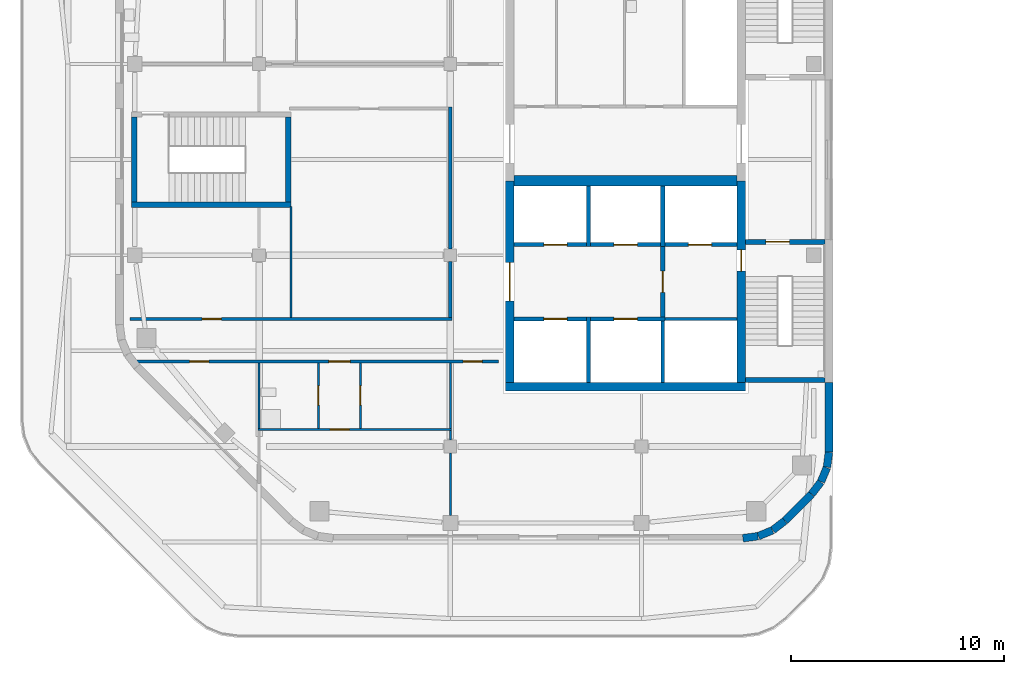
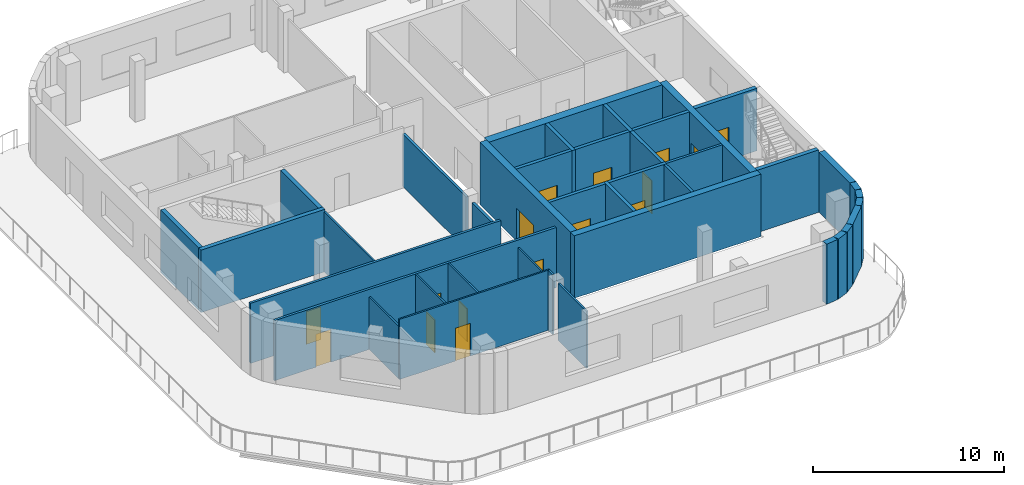
# One storey, part 5 of 15: 40 walls, 16 doors, 16 openings.
"""IFC4 building model written with IfcOpenShell, lengths in metres."""

from ifc_helpers import new_model, si_unit, direction, frame, frame_2d, origin, place, context, subcontext, project, spatial, rectangle, extrude, material, layer, layer_set, type_object, element, fill, save


model = new_model("IFC4")

# Units and contexts
model_context = context("Model", 3, precision=1e-05, world=origin(), true_north=direction((0.0, 1.0)))
body_context = subcontext(model_context, "Body", "Model", "MODEL_VIEW")
ifc_project = project(units=[si_unit("LENGTHUNIT", "METRE"), si_unit("AREAUNIT", "SQUARE_METRE"), si_unit("VOLUMEUNIT", "CUBIC_METRE"), si_unit("PLANEANGLEUNIT", "RADIAN"), si_unit("MASSUNIT", "GRAM", prefix="KILO")], contexts=[model_context])

# Site, building, storey
site_placement = place(None, origin())
site = spatial("IfcSite", under=ifc_project, at=site_placement, CompositionType="ELEMENT")
building_placement = place(site_placement, origin())
building = spatial("IfcBuilding", under=site, at=building_placement, Name="Cinnabar Reach Civic Tower", CompositionType="ELEMENT")
storey_placement = place(building_placement, frame((0.0, 0.0, 100.0)))
storey = spatial("IfcBuildingStorey", under=building, at=storey_placement, Name="L23", CompositionType="ELEMENT", Elevation=100.0)

# Walls
ifc_material_1 = material(Name="Facing brick with insulated backing", Category="masonry")
ifc_layer_1 = layer(ifc_material_1, 0.36)
ifc_layer_set_1 = layer_set([ifc_layer_1], Name="Brick corner wall")
wall_type_1 = type_object("IfcWallType", Name="Brick corner wall", PredefinedType="STANDARD", material=ifc_layer_set_1)
for number, where, z_axis, x_axis, name in (
    (1, (-31.2314, 13.683, 0.0), (0.0, 0.0, 1.0), (0.99144092581, 0.13055608231, 0.0), "Brick corner wall"),
    (2, (-30.5027, 13.7819, 0.0), (0.0, 0.0, 1.0), (0.923871547278, 0.382702709855, 0.0), "Brick corner wall"),
):
    element("IfcWall", number, at=place(storey_placement, frame(where, z_axis=z_axis, x_axis=x_axis)), inside=storey, type_object=wall_type_1, Name=name, PredefinedType="STANDARD", context=body_context, shape_type="SweptSolid", body=[
        extrude(rectangle(XDim=0.7131, YDim=0.36, at=frame_2d((0.3565, 0.0))), origin(), (0.0, 0.0, 1.0), 3.85),
    ])
for number, where, z_axis, x_axis, name in (
    (3, (-29.8245, 14.066, 0.0), (0.0, 0.0, 1.0), (0.793321924995, 0.608802368033, 0.0), "Brick corner wall"),
    (4, (-28.0002, 15.7587, 0.0), (0.0, 0.0, 1.0), (0.608802368033, 0.793321924995, 0.0), "Brick corner wall"),
):
    element("IfcWall", number, at=place(storey_placement, frame(where, z_axis=z_axis, x_axis=x_axis)), inside=storey, type_object=wall_type_1, Name=name, PredefinedType="STANDARD", context=body_context, shape_type="SweptSolid", body=[
        extrude(rectangle(XDim=0.7132, YDim=0.36, at=frame_2d((0.3566, 0.0))), origin(), (0.0, 0.0, 1.0), 3.85),
    ])
for number, where, z_axis, x_axis, name in (
    (5, (-27.5548, 16.3439, 0.0), (0.0, 0.0, 1.0), (0.382702709855, 0.923871547278, 0.0), "Brick corner wall"),
    (6, (-27.2761, 17.0244, 0.0), (0.0, 0.0, 1.0), (0.13055608231, 0.99144092581, 0.0), "Brick corner wall"),
):
    element("IfcWall", number, at=place(storey_placement, frame(where, z_axis=z_axis, x_axis=x_axis)), inside=storey, type_object=wall_type_1, Name=name, PredefinedType="STANDARD", context=body_context, shape_type="SweptSolid", body=[
        extrude(rectangle(XDim=0.7131, YDim=0.36, at=frame_2d((0.3565, 0.0))), origin(), (0.0, 0.0, 1.0), 3.85),
    ])
ifc_layer_2 = layer(ifc_material_1, 0.36)
ifc_layer_set_2 = layer_set([ifc_layer_2], Name="Brick pier and spandrel wall")
wall_type_2 = type_object("IfcWallType", Name="Brick pier and spandrel wall", PredefinedType="STANDARD", material=ifc_layer_set_2)
wall_1_placement = place(storey_placement, frame((-29.2486, 14.506, 0.0), z_axis=(0.0, 0.0, 1.0), x_axis=(0.707106781187, 0.707106781187, 0.0)))
element("IfcWall", 7, at=wall_1_placement, inside=storey, type_object=wall_type_2, Name="Brick facade wall", PredefinedType="STANDARD", context=body_context, shape_type="SweptSolid", body=[
    extrude(rectangle(XDim=1.7573, YDim=0.36, at=frame_2d((0.8787, 0.0))), origin(), (0.0, 0.0, 1.0), 3.85),
])
wall_2_placement = place(storey_placement, frame((-27.18, 17.7426, 0.0), z_axis=(0.0, 0.0, 1.0), x_axis=(0.0, 1.0, 0.0)))
element("IfcWall", 8, at=wall_2_placement, inside=storey, type_object=wall_type_2, Name="Brick facade wall", PredefinedType="STANDARD", context=body_context, shape_type="SweptSolid", body=[
    extrude(rectangle(XDim=3.2574, YDim=0.36, at=frame_2d((1.6287, 0.0))), origin(), (0.0, 0.0, 1.0), 3.85),
])
ifc_material_2 = material(Name="Concrete C60", Category="concrete")
ifc_layer_3 = layer(ifc_material_2, 0.4)
ifc_layer_set_3 = layer_set([ifc_layer_3], Name="Core wall 400 EI 180")
wall_type_3 = type_object("IfcWallType", Name="Core wall 400 EI 180", PredefinedType="SOLIDWALL", material=ifc_layer_set_3)
wall_3_placement = place(storey_placement, frame((-42.4, 20.8, 0.0), z_axis=(0.0, 0.0, 1.0), x_axis=(1.0, 0.0, 0.0)))
element("IfcWall", 9, at=wall_3_placement, inside=storey, type_object=wall_type_3, Name="Core wall T2 L23 S", PredefinedType="SOLIDWALL", context=body_context, shape_type="SweptSolid", body=[
    extrude(rectangle(XDim=11.3, YDim=0.4, at=frame_2d((5.65, 0.0))), origin(), (0.0, 0.0, 1.0), 4.0),
])

# Wall, opening, door
wall_4_placement = place(storey_placement, frame((-31.3, 21.0, 0.0), z_axis=(0.0, 0.0, 1.0), x_axis=(0.0, 1.0, 0.0)))
wall_4 = element("IfcWall", 10, at=wall_4_placement, inside=storey, type_object=wall_type_3, Name="Core wall T2 L23 E", PredefinedType="SOLIDWALL", context=body_context, shape_type="SweptSolid", body=[
    extrude(rectangle(XDim=9.5, YDim=0.4, at=frame_2d((4.75, 0.0))), origin(), (0.0, 0.0, 1.0), 4.0),
])
opening_1_placement = place(wall_4_placement, frame((5.25, 0.0, 0.0)))
opening_1 = element("IfcOpeningElement", 11, at=opening_1_placement, cuts=wall_4, Name="Opening D6856", PredefinedType="OPENING", context=body_context, shape_type="SweptSolid", body=[
    extrude(rectangle(XDim=1.0, YDim=2.1, at=frame_2d((0.5, 1.05))), frame((0.0, 0.21, 0.0), z_axis=(0.0, -1.0, 0.0), x_axis=(1.0, 0.0, 0.0)), (0.0, 0.0, 1.0), 0.42),
])
ifc_material_3 = material(Name="Steel fire door", Category="steel")
door_type_1 = type_object("IfcDoorType", Name="T2 Firefighting lobby door 1000", OperationType="SINGLE_SWING_LEFT", PredefinedType="DOOR", material=ifc_material_3)
door_1_placement = place(opening_1_placement, frame((1.0, 0.0, 0.0), z_axis=(0.0, 0.0, 1.0), x_axis=(-1.0, 0.0, 0.0)))
door_1 = element("IfcDoor", 12, at=door_1_placement, inside=storey, type_object=door_type_1, Name="T2 Firefighting lobby door D6856", OperationType="SINGLE_SWING_LEFT", OverallHeight=2.1, OverallWidth=1.0, PredefinedType="DOOR", context=body_context, shape_type="SweptSolid", body=[
    extrude(rectangle(XDim=1.0, YDim=2.1, at=frame_2d((0.5, 1.05))), frame((0.0, 0.025, 0.0), z_axis=(0.0, -1.0, 0.0), x_axis=(1.0, 0.0, 0.0)), (0.0, 0.0, 1.0), 0.05),
])
fill(opening_1, door_1)

wall_5_placement = place(storey_placement, frame((-42.2, 30.5, 0.0), z_axis=(0.0, 0.0, 1.0), x_axis=(0.0, -1.0, 0.0)))
wall_5 = element("IfcWall", 13, at=wall_5_placement, inside=storey, type_object=wall_type_3, Name="Core wall T2 L23 W2", PredefinedType="SOLIDWALL", context=body_context, shape_type="SweptSolid", body=[
    extrude(rectangle(XDim=9.5, YDim=0.4, at=frame_2d((4.75, 0.0))), origin(), (0.0, 0.0, 1.0), 4.0),
])
opening_2_placement = place(wall_5_placement, frame((3.85, 0.0, 0.0)))
opening_2 = element("IfcOpeningElement", 14, at=opening_2_placement, cuts=wall_5, Name="Opening D6860", PredefinedType="OPENING", context=body_context, shape_type="SweptSolid", body=[
    extrude(rectangle(XDim=1.8, YDim=2.1, at=frame_2d((0.9, 1.05))), frame((0.0, 0.21, 0.0), z_axis=(0.0, -1.0, 0.0), x_axis=(1.0, 0.0, 0.0)), (0.0, 0.0, 1.0), 0.42),
])
door_type_2 = type_object("IfcDoorType", Name="T2 Double door 1800", OperationType="DOUBLE_DOOR_SINGLE_SWING", PredefinedType="DOOR", material=ifc_material_3)
door_2_placement = place(opening_2_placement, origin())
door_2 = element("IfcDoor", 15, at=door_2_placement, inside=storey, type_object=door_type_2, Name="T2 Double door D6860", OperationType="DOUBLE_DOOR_SINGLE_SWING", OverallHeight=2.1, OverallWidth=1.8, PredefinedType="DOOR", context=body_context, shape_type="SweptSolid", body=[
    extrude(rectangle(XDim=1.8, YDim=2.1, at=frame_2d((0.9, 1.05))), frame((0.0, 0.025, 0.0), z_axis=(0.0, -1.0, 0.0), x_axis=(1.0, 0.0, 0.0)), (0.0, 0.0, 1.0), 0.05),
])
fill(opening_2, door_2)

# Wall
ifc_layer_4 = layer(ifc_material_2, 0.5)
ifc_layer_set_4 = layer_set([ifc_layer_4], Name="Core wall 500 EI 180")
wall_type_4 = type_object("IfcWallType", Name="Core wall 500 EI 180", PredefinedType="SOLIDWALL", material=ifc_layer_set_4)
wall_6_placement = place(storey_placement, frame((-42.0, 30.5, 0.0), z_axis=(0.0, 0.0, 1.0), x_axis=(1.0, 0.0, 0.0)))
element("IfcWall", 16, at=wall_6_placement, inside=storey, type_object=wall_type_4, Name="Core spine wall T2 L23", PredefinedType="SOLIDWALL", context=body_context, shape_type="SweptSolid", body=[
    extrude(rectangle(XDim=10.5, YDim=0.5, at=frame_2d((5.25, 0.0))), origin(), (0.0, 0.0, 1.0), 4.0),
])

# Wall, openings, doors
ifc_material_4 = material(Name="Gypsum board on steel studs, double layer", Category="steel")
ifc_layer_5 = layer(ifc_material_4, 0.15)
ifc_layer_set_5 = layer_set([ifc_layer_5], Name="Corridor wall 150 T2")
wall_type_5 = type_object("IfcWallType", Name="Corridor wall 150 T2", PredefinedType="PARTITIONING", material=ifc_layer_set_5)
wall_7_placement = place(storey_placement, frame((-59.7657, 22.0, 0.0), z_axis=(0.0, 0.0, 1.0), x_axis=(1.0, 0.0, 0.0)))
wall_7 = element("IfcWall", 17, at=wall_7_placement, inside=storey, type_object=wall_type_5, Name="Corridor wall 4", PredefinedType="PARTITIONING", context=body_context, shape_type="SweptSolid", body=[
    extrude(rectangle(XDim=17.0407, YDim=0.15, at=frame_2d((8.5204, 0.0))), origin(), (0.0, 0.0, 1.0), 3.85),
])
opening_3_placement = place(wall_7_placement, frame((15.3657, 0.0, 0.0)))
opening_3 = element("IfcOpeningElement", 18, at=opening_3_placement, cuts=wall_7, Name="Opening D6866", PredefinedType="OPENING", context=body_context, shape_type="SweptSolid", body=[
    extrude(rectangle(XDim=0.9, YDim=2.1, at=frame_2d((0.45, 1.05))), frame((0.0, 0.085, 0.0), z_axis=(0.0, -1.0, 0.0), x_axis=(1.0, 0.0, 0.0)), (0.0, 0.0, 1.0), 0.17),
])
opening_4_placement = place(wall_7_placement, frame((2.5, 0.0, 0.0)))
opening_4 = element("IfcOpeningElement", 19, at=opening_4_placement, cuts=wall_7, Name="Opening D6867", PredefinedType="OPENING", context=body_context, shape_type="SweptSolid", body=[
    extrude(rectangle(XDim=0.9, YDim=2.1, at=frame_2d((0.45, 1.05))), frame((0.0, 0.085, 0.0), z_axis=(0.0, -1.0, 0.0), x_axis=(1.0, 0.0, 0.0)), (0.0, 0.0, 1.0), 0.17),
])
opening_5_placement = place(wall_7_placement, frame((9.0557, 0.0, 0.0)))
opening_5 = element("IfcOpeningElement", 20, at=opening_5_placement, cuts=wall_7, Name="Opening D6871", PredefinedType="OPENING", context=body_context, shape_type="SweptSolid", body=[
    extrude(rectangle(XDim=1.0, YDim=2.1, at=frame_2d((0.5, 1.05))), frame((0.0, 0.085, 0.0), z_axis=(0.0, -1.0, 0.0), x_axis=(1.0, 0.0, 0.0)), (0.0, 0.0, 1.0), 0.17),
])
ifc_material_5 = material(Name="Timber door leaf in steel frame", Category="steel")
door_type_3 = type_object("IfcDoorType", Name="Single swing door 900 x 2100 T2", OperationType="SINGLE_SWING_LEFT", PredefinedType="DOOR", material=ifc_material_5)
door_3_placement = place(opening_3_placement, frame((0.9, 0.0, 0.0), z_axis=(0.0, 0.0, 1.0), x_axis=(-1.0, 0.0, 0.0)))
door_3 = element("IfcDoor", 21, at=door_3_placement, inside=storey, type_object=door_type_3, Name="Door D6866", OperationType="SINGLE_SWING_RIGHT", OverallHeight=2.1, OverallWidth=0.9, PredefinedType="DOOR", context=body_context, shape_type="SweptSolid", body=[
    extrude(rectangle(XDim=0.9, YDim=2.1, at=frame_2d((0.45, 1.05))), frame((0.0, 0.025, 0.0), z_axis=(0.0, -1.0, 0.0), x_axis=(1.0, 0.0, 0.0)), (0.0, 0.0, 1.0), 0.05),
])
fill(opening_3, door_3)
door_4_placement = place(opening_4_placement, frame((0.9, 0.0, 0.0), z_axis=(0.0, 0.0, 1.0), x_axis=(-1.0, 0.0, 0.0)))
door_4 = element("IfcDoor", 22, at=door_4_placement, inside=storey, type_object=door_type_3, Name="Door D6867", OperationType="SINGLE_SWING_LEFT", OverallHeight=2.1, OverallWidth=0.9, PredefinedType="DOOR", context=body_context, shape_type="SweptSolid", body=[
    extrude(rectangle(XDim=0.9, YDim=2.1, at=frame_2d((0.45, 1.05))), frame((0.0, 0.025, 0.0), z_axis=(0.0, -1.0, 0.0), x_axis=(1.0, 0.0, 0.0)), (0.0, 0.0, 1.0), 0.05),
])
fill(opening_4, door_4)
door_type_4 = type_object("IfcDoorType", Name="Tenancy entrance door 1000 x 2100 T2", OperationType="SINGLE_SWING_LEFT", PredefinedType="DOOR", material=ifc_material_5)
door_5_placement = place(opening_5_placement, frame((1.0, 0.0, 0.0), z_axis=(0.0, 0.0, 1.0), x_axis=(-1.0, 0.0, 0.0)))
door_5 = element("IfcDoor", 23, at=door_5_placement, inside=storey, type_object=door_type_4, Name="Door D6871", OperationType="SINGLE_SWING_RIGHT", OverallHeight=2.1, OverallWidth=1.0, PredefinedType="DOOR", context=body_context, shape_type="SweptSolid", body=[
    extrude(rectangle(XDim=1.0, YDim=2.1, at=frame_2d((0.5, 1.05))), frame((0.0, 0.025, 0.0), z_axis=(0.0, -1.0, 0.0), x_axis=(1.0, 0.0, 0.0)), (0.0, 0.0, 1.0), 0.05),
])
fill(opening_5, door_5)

# Wall, opening, door
wall_8_placement = place(storey_placement, frame((-60.075, 24.0, 0.0), z_axis=(0.0, 0.0, 1.0), x_axis=(1.0, 0.0, 0.0)))
wall_8 = element("IfcWall", 24, at=wall_8_placement, inside=storey, type_object=wall_type_5, Name="Corridor wall 5", PredefinedType="PARTITIONING", context=body_context, shape_type="SweptSolid", body=[
    extrude(rectangle(XDim=15.15, YDim=0.15, at=frame_2d((7.575, 0.0))), origin(), (0.0, 0.0, 1.0), 3.85),
])
opening_6_placement = place(wall_8_placement, frame((3.4, 0.0, 0.0)))
opening_6 = element("IfcOpeningElement", 25, at=opening_6_placement, cuts=wall_8, Name="Opening D6876", PredefinedType="OPENING", context=body_context, shape_type="SweptSolid", body=[
    extrude(rectangle(XDim=0.9, YDim=2.1, at=frame_2d((0.45, 1.05))), frame((0.0, 0.085, 0.0), z_axis=(0.0, -1.0, 0.0), x_axis=(1.0, 0.0, 0.0)), (0.0, 0.0, 1.0), 0.17),
])
door_6_placement = place(opening_6_placement, origin())
door_6 = element("IfcDoor", 26, at=door_6_placement, inside=storey, type_object=door_type_3, Name="Door D6876", OperationType="SINGLE_SWING_LEFT", OverallHeight=2.1, OverallWidth=0.9, PredefinedType="DOOR", context=body_context, shape_type="SweptSolid", body=[
    extrude(rectangle(XDim=0.9, YDim=2.1, at=frame_2d((0.45, 1.05))), frame((0.0, 0.025, 0.0), z_axis=(0.0, -1.0, 0.0), x_axis=(1.0, 0.0, 0.0)), (0.0, 0.0, 1.0), 0.05),
])
fill(opening_6, door_6)

# Walls
wall_9_placement = place(storey_placement, frame((-45.0, 24.075, 0.0), z_axis=(0.0, 0.0, 1.0), x_axis=(0.0, 1.0, 0.0)))
element("IfcWall", 27, at=wall_9_placement, inside=storey, type_object=wall_type_5, Name="Corridor wall 6", PredefinedType="PARTITIONING", context=body_context, shape_type="SweptSolid", body=[
    extrude(rectangle(XDim=2.625, YDim=0.15, at=frame_2d((1.3125, 0.0))), origin(), (0.0, 0.0, 1.0), 3.362),
])
wall_10_placement = place(storey_placement, frame((-45.0, 27.3, 0.0), z_axis=(0.0, 0.0, 1.0), x_axis=(0.0, 1.0, 0.0)))
element("IfcWall", 28, at=wall_10_placement, inside=storey, type_object=wall_type_5, Name="Corridor wall 7", PredefinedType="PARTITIONING", context=body_context, shape_type="SweptSolid", body=[
    extrude(rectangle(XDim=6.675, YDim=0.15, at=frame_2d((3.3375, 0.0))), origin(), (0.0, 0.0, 1.0), 3.362),
])

# Wall, opening, door
ifc_material_6 = material(Name="Gypsum board on steel studs", Category="steel")
ifc_layer_6 = layer(ifc_material_6, 0.1)
ifc_layer_set_6 = layer_set([ifc_layer_6], Name="Partition wall 100 T2")
wall_type_6 = type_object("IfcWallType", Name="Partition wall 100 T2", PredefinedType="PARTITIONING", material=ifc_layer_set_6)
wall_11_placement = place(storey_placement, frame((-54.05, 18.8, 0.0), z_axis=(0.0, 0.0, 1.0), x_axis=(1.0, 0.0, 0.0)))
wall_11 = element("IfcWall", 29, at=wall_11_placement, inside=storey, type_object=wall_type_6, Name="Partition wall 13", PredefinedType="PARTITIONING", context=body_context, shape_type="SweptSolid", body=[
    extrude(rectangle(XDim=9.1, YDim=0.1, at=frame_2d((4.55, 0.0))), origin(), (0.0, 0.0, 1.0), 3.85),
])
opening_7_placement = place(wall_11_placement, frame((3.39, 0.0, 0.0)))
opening_7 = element("IfcOpeningElement", 30, at=opening_7_placement, cuts=wall_11, Name="Opening D6870", PredefinedType="OPENING", context=body_context, shape_type="SweptSolid", body=[
    extrude(rectangle(XDim=0.9, YDim=2.1, at=frame_2d((0.45, 1.05))), frame((0.0, 0.06, 0.0), z_axis=(0.0, -1.0, 0.0), x_axis=(1.0, 0.0, 0.0)), (0.0, 0.0, 1.0), 0.12),
])
door_7_placement = place(opening_7_placement, origin())
door_7 = element("IfcDoor", 31, at=door_7_placement, inside=storey, type_object=door_type_3, Name="Door D6870", OperationType="SINGLE_SWING_RIGHT", OverallHeight=2.1, OverallWidth=0.9, PredefinedType="DOOR", context=body_context, shape_type="SweptSolid", body=[
    extrude(rectangle(XDim=0.9, YDim=2.1, at=frame_2d((0.45, 1.05))), frame((0.0, 0.025, 0.0), z_axis=(0.0, -1.0, 0.0), x_axis=(1.0, 0.0, 0.0)), (0.0, 0.0, 1.0), 0.05),
])
fill(opening_7, door_7)

# Walls
wall_12_placement = place(storey_placement, frame((-45.0, 18.85, 0.0), z_axis=(0.0, 0.0, 1.0), x_axis=(0.0, 1.0, 0.0)))
element("IfcWall", 32, at=wall_12_placement, inside=storey, type_object=wall_type_6, Name="Partition wall 14", PredefinedType="PARTITIONING", context=body_context, shape_type="SweptSolid", body=[
    extrude(rectangle(XDim=3.075, YDim=0.1, at=frame_2d((1.5375, 0.0))), origin(), (0.0, 0.0, 1.0), 3.362),
])
wall_13_placement = place(storey_placement, frame((-45.0, 18.3, 0.0), z_axis=(0.0, 0.0, 1.0), x_axis=(0.0, 1.0, 0.0)))
element("IfcWall", 33, at=wall_13_placement, inside=storey, type_object=wall_type_6, Name="Partition wall 15", PredefinedType="PARTITIONING", context=body_context, shape_type="SweptSolid", body=[
    extrude(rectangle(XDim=0.45, YDim=0.1, at=frame_2d((0.225, 0.0))), origin(), (0.0, 0.0, 1.0), 3.85),
])
wall_14_placement = place(storey_placement, frame((-45.0, 14.75, 0.0), z_axis=(0.0, 0.0, 1.0), x_axis=(0.0, 1.0, 0.0)))
element("IfcWall", 34, at=wall_14_placement, inside=storey, type_object=wall_type_6, Name="Partition wall 16", PredefinedType="PARTITIONING", context=body_context, shape_type="SweptSolid", body=[
    extrude(rectangle(XDim=2.95, YDim=0.1, at=frame_2d((1.475, 0.0))), origin(), (0.0, 0.0, 1.0), 3.652),
])
wall_15_placement = place(storey_placement, frame((-54.0, 18.85, 0.0), z_axis=(0.0, 0.0, 1.0), x_axis=(0.0, 1.0, 0.0)))
element("IfcWall", 35, at=wall_15_placement, inside=storey, type_object=wall_type_6, Name="Partition wall 17", PredefinedType="PARTITIONING", context=body_context, shape_type="SweptSolid", body=[
    extrude(rectangle(XDim=3.075, YDim=0.1, at=frame_2d((1.5375, 0.0))), origin(), (0.0, 0.0, 1.0), 3.362),
])
wall_16_placement = place(storey_placement, frame((-52.5, 24.075, 0.0), z_axis=(0.0, 0.0, 1.0), x_axis=(0.0, 1.0, 0.0)))
element("IfcWall", 36, at=wall_16_placement, inside=storey, type_object=wall_type_6, Name="Partition wall 19", PredefinedType="PARTITIONING", context=body_context, shape_type="SweptSolid", body=[
    extrude(rectangle(XDim=5.225, YDim=0.1, at=frame_2d((2.6125, 0.0))), origin(), (0.0, 0.0, 1.0), 3.85),
])

# Wall, opening, door
wall_17_placement = place(storey_placement, frame((-51.21, 18.85, 0.0), z_axis=(0.0, 0.0, 1.0), x_axis=(0.0, 1.0, 0.0)))
wall_17 = element("IfcWall", 37, at=wall_17_placement, inside=storey, type_object=wall_type_6, Name="Partition wall 22", PredefinedType="PARTITIONING", context=body_context, shape_type="SweptSolid", body=[
    extrude(rectangle(XDim=3.075, YDim=0.1, at=frame_2d((1.5375, 0.0))), origin(), (0.0, 0.0, 1.0), 3.85),
])
opening_8_placement = place(wall_17_placement, frame((1.1, 0.0, 0.0)))
opening_8 = element("IfcOpeningElement", 38, at=opening_8_placement, cuts=wall_17, Name="Opening D6868", PredefinedType="OPENING", context=body_context, shape_type="SweptSolid", body=[
    extrude(rectangle(XDim=0.9, YDim=2.1, at=frame_2d((0.45, 1.05))), frame((0.0, 0.06, 0.0), z_axis=(0.0, -1.0, 0.0), x_axis=(1.0, 0.0, 0.0)), (0.0, 0.0, 1.0), 0.12),
])
door_8_placement = place(opening_8_placement, origin())
door_8 = element("IfcDoor", 39, at=door_8_placement, inside=storey, type_object=door_type_3, Name="Door D6868", OperationType="SINGLE_SWING_RIGHT", OverallHeight=2.1, OverallWidth=0.9, PredefinedType="DOOR", context=body_context, shape_type="SweptSolid", body=[
    extrude(rectangle(XDim=0.9, YDim=2.1, at=frame_2d((0.45, 1.05))), frame((0.0, 0.025, 0.0), z_axis=(0.0, -1.0, 0.0), x_axis=(1.0, 0.0, 0.0)), (0.0, 0.0, 1.0), 0.05),
])
fill(opening_8, door_8)

wall_18_placement = place(storey_placement, frame((-49.23, 18.85, 0.0), z_axis=(0.0, 0.0, 1.0), x_axis=(0.0, 1.0, 0.0)))
wall_18 = element("IfcWall", 40, at=wall_18_placement, inside=storey, type_object=wall_type_6, Name="Partition wall 23", PredefinedType="PARTITIONING", context=body_context, shape_type="SweptSolid", body=[
    extrude(rectangle(XDim=3.075, YDim=0.1, at=frame_2d((1.5375, 0.0))), origin(), (0.0, 0.0, 1.0), 3.85),
])
opening_9_placement = place(wall_18_placement, frame((1.1, 0.0, 0.0)))
opening_9 = element("IfcOpeningElement", 41, at=opening_9_placement, cuts=wall_18, Name="Opening D6869", PredefinedType="OPENING", context=body_context, shape_type="SweptSolid", body=[
    extrude(rectangle(XDim=0.9, YDim=2.1, at=frame_2d((0.45, 1.05))), frame((0.0, 0.06, 0.0), z_axis=(0.0, -1.0, 0.0), x_axis=(1.0, 0.0, 0.0)), (0.0, 0.0, 1.0), 0.12),
])
door_9_placement = place(opening_9_placement, origin())
door_9 = element("IfcDoor", 42, at=door_9_placement, inside=storey, type_object=door_type_3, Name="Door D6869", OperationType="SINGLE_SWING_RIGHT", OverallHeight=2.1, OverallWidth=0.9, PredefinedType="DOOR", context=body_context, shape_type="SweptSolid", body=[
    extrude(rectangle(XDim=0.9, YDim=2.1, at=frame_2d((0.45, 1.05))), frame((0.0, 0.025, 0.0), z_axis=(0.0, -1.0, 0.0), x_axis=(1.0, 0.0, 0.0)), (0.0, 0.0, 1.0), 0.05),
])
fill(opening_9, door_9)

# Wall
ifc_layer_7 = layer(ifc_material_2, 0.25)
ifc_layer_set_7 = layer_set([ifc_layer_7], Name="Stair shaft wall 250 EI 120")
wall_type_7 = type_object("IfcWallType", Name="Stair shaft wall 250 EI 120", PredefinedType="SOLIDWALL", material=ifc_layer_set_7)
wall_19_placement = place(storey_placement, frame((-31.1, 21.125, 0.0), z_axis=(0.0, 0.0, 1.0), x_axis=(1.0, 0.0, 0.0)))
element("IfcWall", 43, at=wall_19_placement, inside=storey, type_object=wall_type_7, Name="Stair shaft wall T2-S1 L23", PredefinedType="SOLIDWALL", context=body_context, shape_type="SweptSolid", body=[
    extrude(rectangle(XDim=3.74, YDim=0.25, at=frame_2d((1.87, 0.0))), origin(), (0.0, 0.0, 1.0), 4.0),
])

# Wall, opening, door
wall_20_placement = place(storey_placement, frame((-27.36, 27.625, 0.0), z_axis=(0.0, 0.0, 1.0), x_axis=(-1.0, 0.0, 0.0)))
wall_20 = element("IfcWall", 44, at=wall_20_placement, inside=storey, type_object=wall_type_7, Name="Stair shaft wall T2-S1 L23", PredefinedType="SOLIDWALL", context=body_context, shape_type="SweptSolid", body=[
    extrude(rectangle(XDim=3.74, YDim=0.25, at=frame_2d((1.87, 0.0))), origin(), (0.0, 0.0, 1.0), 4.0),
])
opening_10_placement = place(wall_20_placement, frame((1.69, 0.0, 0.0)))
opening_10 = element("IfcOpeningElement", 45, at=opening_10_placement, cuts=wall_20, Name="Opening D6857", PredefinedType="OPENING", context=body_context, shape_type="SweptSolid", body=[
    extrude(rectangle(XDim=1.1, YDim=2.1, at=frame_2d((0.55, 1.05))), frame((0.0, 0.135, 0.0), z_axis=(0.0, -1.0, 0.0), x_axis=(1.0, 0.0, 0.0)), (0.0, 0.0, 1.0), 0.27),
])
door_type_5 = type_object("IfcDoorType", Name="T2 Stair door 1100", OperationType="SINGLE_SWING_LEFT", PredefinedType="DOOR", material=ifc_material_3)
door_10_placement = place(opening_10_placement, origin())
door_10 = element("IfcDoor", 46, at=door_10_placement, inside=storey, type_object=door_type_5, Name="T2 Stair door D6857", OperationType="SINGLE_SWING_RIGHT", OverallHeight=2.1, OverallWidth=1.1, PredefinedType="DOOR", context=body_context, shape_type="SweptSolid", body=[
    extrude(rectangle(XDim=1.1, YDim=2.1, at=frame_2d((0.55, 1.05))), frame((0.0, 0.025, 0.0), z_axis=(0.0, -1.0, 0.0), x_axis=(1.0, 0.0, 0.0)), (0.0, 0.0, 1.0), 0.05),
])
fill(opening_10, door_10)

# Walls
wall_21_placement = place(storey_placement, frame((-60.0, 29.375, 0.0), z_axis=(0.0, 0.0, 1.0), x_axis=(1.0, 0.0, 0.0)))
element("IfcWall", 47, at=wall_21_placement, inside=storey, type_object=wall_type_7, Name="Stair shaft wall T2-S3 L23", PredefinedType="SOLIDWALL", context=body_context, shape_type="SweptSolid", body=[
    extrude(rectangle(XDim=7.5, YDim=0.25, at=frame_2d((3.75, 0.0))), origin(), (0.0, 0.0, 1.0), 4.0),
])
for number, where, z_axis, x_axis, name in (
    (48, (-52.625, 29.5, 0.0), (0.0, 0.0, 1.0), (0.0, 1.0, 0.0), "Stair shaft wall T2-S3 L23"),
    (49, (-59.875, 33.5, 0.0), (0.0, 0.0, 1.0), (0.0, -1.0, 0.0), "Stair shaft wall T2-S3 L23"),
):
    element("IfcWall", number, at=place(storey_placement, frame(where, z_axis=z_axis, x_axis=x_axis)), inside=storey, type_object=wall_type_7, Name=name, PredefinedType="SOLIDWALL", context=body_context, shape_type="SweptSolid", body=[
        extrude(rectangle(XDim=4.0, YDim=0.25, at=frame_2d((2.0, 0.0))), origin(), (0.0, 0.0, 1.0), 4.0),
    ])
ifc_material_7 = material(Name="Concrete C40", Category="concrete")
ifc_layer_8 = layer(ifc_material_7, 0.15)
ifc_layer_set_8 = layer_set([ifc_layer_8], Name="T2 Riser wall 150")
wall_type_8 = type_object("IfcWallType", Name="T2 Riser wall 150", PredefinedType="SOLIDWALL", material=ifc_layer_set_8)
wall_22_placement = place(storey_placement, frame((-35.0, 21.0, 0.0), z_axis=(0.0, 0.0, 1.0), x_axis=(0.0, 1.0, 0.0)))
element("IfcWall", 50, at=wall_22_placement, inside=storey, type_object=wall_type_8, Name="T2 Riser wall L23 010", PredefinedType="SOLIDWALL", context=body_context, shape_type="SweptSolid", body=[
    extrude(rectangle(XDim=2.9, YDim=0.15, at=frame_2d((1.45, 0.0))), origin(), (0.0, 0.0, 1.0), 4.0),
])
wall_23_placement = place(storey_placement, frame((-31.5, 24.0, 0.0), z_axis=(0.0, 0.0, 1.0), x_axis=(-1.0, 0.0, 0.0)))
element("IfcWall", 51, at=wall_23_placement, inside=storey, type_object=wall_type_8, Name="T2 Riser wall L23 011", PredefinedType="SOLIDWALL", context=body_context, shape_type="SweptSolid", body=[
    extrude(rectangle(XDim=3.4, YDim=0.15, at=frame_2d((1.7, 0.0))), origin(), (0.0, 0.0, 1.0), 4.0),
])
ifc_layer_9 = layer(ifc_material_7, 0.2)
ifc_layer_set_9 = layer_set([ifc_layer_9], Name="T2 Shaft wall 200")
wall_type_9 = type_object("IfcWallType", Name="T2 Shaft wall 200", PredefinedType="SOLIDWALL", material=ifc_layer_set_9)
wall_24_placement = place(storey_placement, frame((-38.5, 21.0, 0.0), z_axis=(0.0, 0.0, 1.0), x_axis=(0.0, 1.0, 0.0)))
element("IfcWall", 52, at=wall_24_placement, inside=storey, type_object=wall_type_9, Name="T2 Shaft wall L23 001", PredefinedType="SOLIDWALL", context=body_context, shape_type="SweptSolid", body=[
    extrude(rectangle(XDim=3.1, YDim=0.2, at=frame_2d((1.55, 0.0))), origin(), (0.0, 0.0, 1.0), 4.0),
])

# Wall, opening, door
wall_25_placement = place(storey_placement, frame((-38.6, 24.0, 0.0), z_axis=(0.0, 0.0, 1.0), x_axis=(-1.0, 0.0, 0.0)))
wall_25 = element("IfcWall", 53, at=wall_25_placement, inside=storey, type_object=wall_type_9, Name="T2 Shaft wall L23 002", PredefinedType="SOLIDWALL", context=body_context, shape_type="SweptSolid", body=[
    extrude(rectangle(XDim=3.4, YDim=0.2, at=frame_2d((1.7, 0.0))), origin(), (0.0, 0.0, 1.0), 4.0),
])
opening_11_placement = place(wall_25_placement, frame((0.9, 0.0, 0.0)))
opening_11 = element("IfcOpeningElement", 54, at=opening_11_placement, cuts=wall_25, Name="Opening D6850", PredefinedType="OPENING", context=body_context, shape_type="SweptSolid", body=[
    extrude(rectangle(XDim=1.1, YDim=2.1, at=frame_2d((0.55, 1.05))), frame((0.0, 0.11, 0.0), z_axis=(0.0, -1.0, 0.0), x_axis=(1.0, 0.0, 0.0)), (0.0, 0.0, 1.0), 0.22),
])
door_type_6 = type_object("IfcDoorType", Name="T2 Lift landing door 1100", OperationType="SLIDING_TO_LEFT", PredefinedType="DOOR", material=ifc_material_3)
door_11_placement = place(opening_11_placement, origin())
door_11 = element("IfcDoor", 55, at=door_11_placement, inside=storey, type_object=door_type_6, Name="T2 Lift landing door D6850", OperationType="SLIDING_TO_LEFT", OverallHeight=2.1, OverallWidth=1.1, PredefinedType="DOOR", context=body_context, shape_type="SweptSolid", body=[
    extrude(rectangle(XDim=1.1, YDim=2.1, at=frame_2d((0.55, 1.05))), frame((0.0, 0.025, 0.0), z_axis=(0.0, -1.0, 0.0), x_axis=(1.0, 0.0, 0.0)), (0.0, 0.0, 1.0), 0.05),
])
fill(opening_11, door_11)

wall_26_placement = place(storey_placement, frame((-34.9, 24.0, 0.0), z_axis=(0.0, 0.0, 1.0), x_axis=(-1.0, 0.0, 0.0)))
wall_26 = element("IfcWall", 56, at=wall_26_placement, inside=storey, type_object=wall_type_9, Name="T2 Shaft wall L23 003", PredefinedType="SOLIDWALL", context=body_context, shape_type="SweptSolid", body=[
    extrude(rectangle(XDim=3.5, YDim=0.2, at=frame_2d((1.75, 0.0))), origin(), (0.0, 0.0, 1.0), 4.0),
])
opening_12_placement = place(wall_26_placement, frame((1.3, 0.0, 0.0)))
opening_12 = element("IfcOpeningElement", 57, at=opening_12_placement, cuts=wall_26, Name="Opening D6851", PredefinedType="OPENING", context=body_context, shape_type="SweptSolid", body=[
    extrude(rectangle(XDim=1.1, YDim=2.1, at=frame_2d((0.55, 1.05))), frame((0.0, 0.11, 0.0), z_axis=(0.0, -1.0, 0.0), x_axis=(1.0, 0.0, 0.0)), (0.0, 0.0, 1.0), 0.22),
])
door_12_placement = place(opening_12_placement, origin())
door_12 = element("IfcDoor", 58, at=door_12_placement, inside=storey, type_object=door_type_6, Name="T2 Lift landing door D6851", OperationType="SLIDING_TO_LEFT", OverallHeight=2.1, OverallWidth=1.1, PredefinedType="DOOR", context=body_context, shape_type="SweptSolid", body=[
    extrude(rectangle(XDim=1.1, YDim=2.1, at=frame_2d((0.55, 1.05))), frame((0.0, 0.025, 0.0), z_axis=(0.0, -1.0, 0.0), x_axis=(1.0, 0.0, 0.0)), (0.0, 0.0, 1.0), 0.05),
])
fill(opening_12, door_12)

# Wall
wall_27_placement = place(storey_placement, frame((-38.5, 27.4, 0.0), z_axis=(0.0, 0.0, 1.0), x_axis=(0.0, 1.0, 0.0)))
element("IfcWall", 59, at=wall_27_placement, inside=storey, type_object=wall_type_9, Name="T2 Shaft wall L23 004", PredefinedType="SOLIDWALL", context=body_context, shape_type="SweptSolid", body=[
    extrude(rectangle(XDim=2.85, YDim=0.2, at=frame_2d((1.425, 0.0))), origin(), (0.0, 0.0, 1.0), 4.0),
])

# Wall, opening, door
wall_28_placement = place(storey_placement, frame((-42.0, 27.5, 0.0), z_axis=(0.0, 0.0, 1.0), x_axis=(1.0, 0.0, 0.0)))
wall_28 = element("IfcWall", 60, at=wall_28_placement, inside=storey, type_object=wall_type_9, Name="T2 Shaft wall L23 005", PredefinedType="SOLIDWALL", context=body_context, shape_type="SweptSolid", body=[
    extrude(rectangle(XDim=3.4, YDim=0.2, at=frame_2d((1.7, 0.0))), origin(), (0.0, 0.0, 1.0), 4.0),
])
opening_13_placement = place(wall_28_placement, frame((1.4, 0.0, 0.0)))
opening_13 = element("IfcOpeningElement", 61, at=opening_13_placement, cuts=wall_28, Name="Opening D6852", PredefinedType="OPENING", context=body_context, shape_type="SweptSolid", body=[
    extrude(rectangle(XDim=1.1, YDim=2.1, at=frame_2d((0.55, 1.05))), frame((0.0, 0.11, 0.0), z_axis=(0.0, -1.0, 0.0), x_axis=(1.0, 0.0, 0.0)), (0.0, 0.0, 1.0), 0.22),
])
door_13_placement = place(opening_13_placement, origin())
door_13 = element("IfcDoor", 62, at=door_13_placement, inside=storey, type_object=door_type_6, Name="T2 Lift landing door D6852", OperationType="SLIDING_TO_LEFT", OverallHeight=2.1, OverallWidth=1.1, PredefinedType="DOOR", context=body_context, shape_type="SweptSolid", body=[
    extrude(rectangle(XDim=1.1, YDim=2.1, at=frame_2d((0.55, 1.05))), frame((0.0, 0.025, 0.0), z_axis=(0.0, -1.0, 0.0), x_axis=(1.0, 0.0, 0.0)), (0.0, 0.0, 1.0), 0.05),
])
fill(opening_13, door_13)

# Wall
wall_29_placement = place(storey_placement, frame((-35.0, 27.4, 0.0), z_axis=(0.0, 0.0, 1.0), x_axis=(0.0, 1.0, 0.0)))
element("IfcWall", 63, at=wall_29_placement, inside=storey, type_object=wall_type_9, Name="T2 Shaft wall L23 006", PredefinedType="SOLIDWALL", context=body_context, shape_type="SweptSolid", body=[
    extrude(rectangle(XDim=2.85, YDim=0.2, at=frame_2d((1.425, 0.0))), origin(), (0.0, 0.0, 1.0), 4.0),
])

# Wall, opening, door
wall_30_placement = place(storey_placement, frame((-38.4, 27.5, 0.0), z_axis=(0.0, 0.0, 1.0), x_axis=(1.0, 0.0, 0.0)))
wall_30 = element("IfcWall", 64, at=wall_30_placement, inside=storey, type_object=wall_type_9, Name="T2 Shaft wall L23 007", PredefinedType="SOLIDWALL", context=body_context, shape_type="SweptSolid", body=[
    extrude(rectangle(XDim=3.3, YDim=0.2, at=frame_2d((1.65, 0.0))), origin(), (0.0, 0.0, 1.0), 4.0),
])
opening_14_placement = place(wall_30_placement, frame((1.1, 0.0, 0.0)))
opening_14 = element("IfcOpeningElement", 65, at=opening_14_placement, cuts=wall_30, Name="Opening D6853", PredefinedType="OPENING", context=body_context, shape_type="SweptSolid", body=[
    extrude(rectangle(XDim=1.1, YDim=2.1, at=frame_2d((0.55, 1.05))), frame((0.0, 0.11, 0.0), z_axis=(0.0, -1.0, 0.0), x_axis=(1.0, 0.0, 0.0)), (0.0, 0.0, 1.0), 0.22),
])
door_14_placement = place(opening_14_placement, origin())
door_14 = element("IfcDoor", 66, at=door_14_placement, inside=storey, type_object=door_type_6, Name="T2 Lift landing door D6853", OperationType="SLIDING_TO_LEFT", OverallHeight=2.1, OverallWidth=1.1, PredefinedType="DOOR", context=body_context, shape_type="SweptSolid", body=[
    extrude(rectangle(XDim=1.1, YDim=2.1, at=frame_2d((0.55, 1.05))), frame((0.0, 0.025, 0.0), z_axis=(0.0, -1.0, 0.0), x_axis=(1.0, 0.0, 0.0)), (0.0, 0.0, 1.0), 0.05),
])
fill(opening_14, door_14)

wall_31_placement = place(storey_placement, frame((-34.9, 27.5, 0.0), z_axis=(0.0, 0.0, 1.0), x_axis=(1.0, 0.0, 0.0)))
wall_31 = element("IfcWall", 67, at=wall_31_placement, inside=storey, type_object=wall_type_9, Name="T2 Shaft wall L23 008", PredefinedType="SOLIDWALL", context=body_context, shape_type="SweptSolid", body=[
    extrude(rectangle(XDim=3.4, YDim=0.2, at=frame_2d((1.7, 0.0))), origin(), (0.0, 0.0, 1.0), 4.0),
])
opening_15_placement = place(wall_31_placement, frame((1.1, 0.0, 0.0)))
opening_15 = element("IfcOpeningElement", 68, at=opening_15_placement, cuts=wall_31, Name="Opening D6854", PredefinedType="OPENING", context=body_context, shape_type="SweptSolid", body=[
    extrude(rectangle(XDim=1.1, YDim=2.1, at=frame_2d((0.55, 1.05))), frame((0.0, 0.11, 0.0), z_axis=(0.0, -1.0, 0.0), x_axis=(1.0, 0.0, 0.0)), (0.0, 0.0, 1.0), 0.22),
])
door_type_7 = type_object("IfcDoorType", Name="T2 Firefighting lift landing door 1100", OperationType="SLIDING_TO_LEFT", PredefinedType="DOOR", material=ifc_material_3)
door_15_placement = place(opening_15_placement, origin())
door_15 = element("IfcDoor", 69, at=door_15_placement, inside=storey, type_object=door_type_7, Name="T2 Firefighting lift landing door D6854", OperationType="SLIDING_TO_LEFT", OverallHeight=2.1, OverallWidth=1.1, PredefinedType="DOOR", context=body_context, shape_type="SweptSolid", body=[
    extrude(rectangle(XDim=1.1, YDim=2.1, at=frame_2d((0.55, 1.05))), frame((0.0, 0.025, 0.0), z_axis=(0.0, -1.0, 0.0), x_axis=(1.0, 0.0, 0.0)), (0.0, 0.0, 1.0), 0.05),
])
fill(opening_15, door_15)

wall_32_placement = place(storey_placement, frame((-35.0, 24.1, 0.0), z_axis=(0.0, 0.0, 1.0), x_axis=(0.0, 1.0, 0.0)))
wall_32 = element("IfcWall", 70, at=wall_32_placement, inside=storey, type_object=wall_type_9, Name="T2 Shaft wall L23 009", PredefinedType="SOLIDWALL", context=body_context, shape_type="SweptSolid", body=[
    extrude(rectangle(XDim=3.3, YDim=0.2, at=frame_2d((1.65, 0.0))), origin(), (0.0, 0.0, 1.0), 4.0),
])
opening_16_placement = place(wall_32_placement, frame((1.15, 0.0, 0.0)))
opening_16 = element("IfcOpeningElement", 71, at=opening_16_placement, cuts=wall_32, Name="Opening D6855", PredefinedType="OPENING", context=body_context, shape_type="SweptSolid", body=[
    extrude(rectangle(XDim=1.0, YDim=2.1, at=frame_2d((0.5, 1.05))), frame((0.0, 0.11, 0.0), z_axis=(0.0, -1.0, 0.0), x_axis=(1.0, 0.0, 0.0)), (0.0, 0.0, 1.0), 0.22),
])
door_16_placement = place(opening_16_placement, origin())
door_16 = element("IfcDoor", 72, at=door_16_placement, inside=storey, type_object=door_type_1, Name="T2 Firefighting lobby door D6855", OperationType="SINGLE_SWING_LEFT", OverallHeight=2.1, OverallWidth=1.0, PredefinedType="DOOR", context=body_context, shape_type="SweptSolid", body=[
    extrude(rectangle(XDim=1.0, YDim=2.1, at=frame_2d((0.5, 1.05))), frame((0.0, 0.025, 0.0), z_axis=(0.0, -1.0, 0.0), x_axis=(1.0, 0.0, 0.0)), (0.0, 0.0, 1.0), 0.05),
])
fill(opening_16, door_16)

save(model, "model.ifc")
